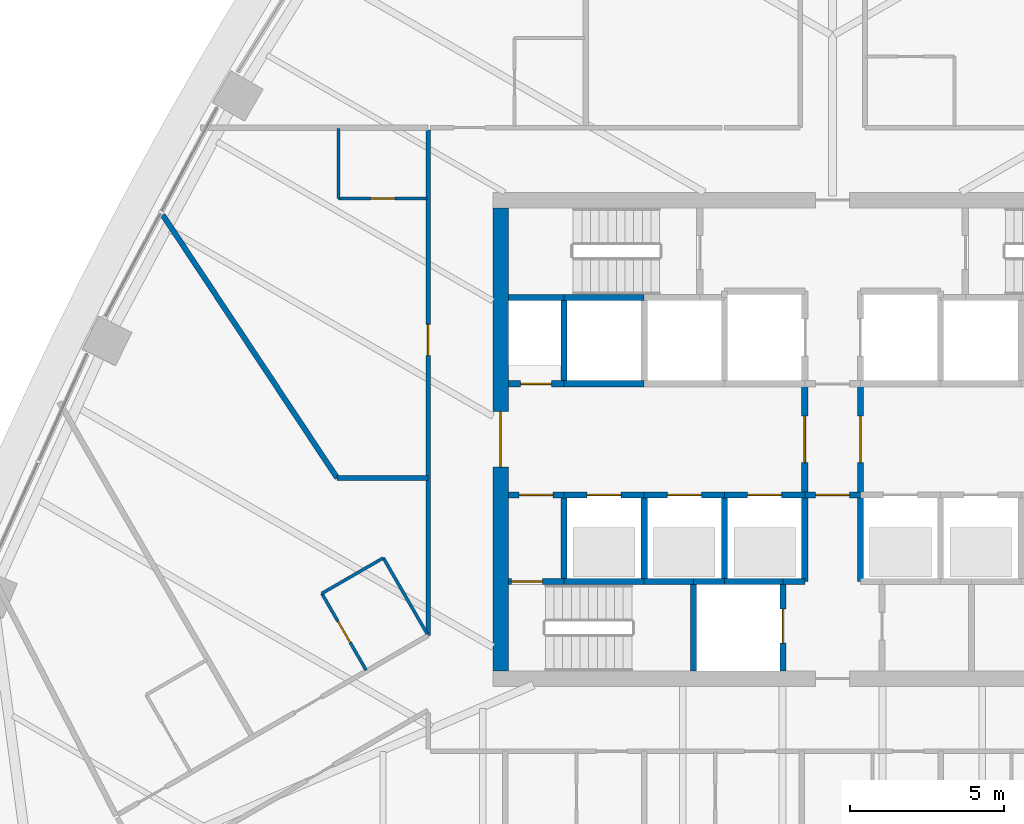
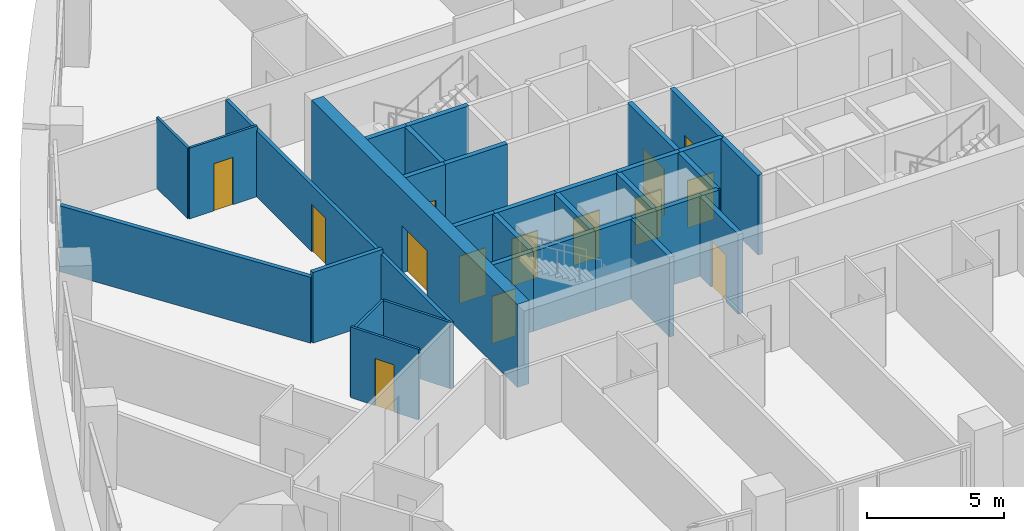
# One storey, part 10 of 17: 34 walls, 14 doors, 14 openings.
"""IFC4 building model written with IfcOpenShell, lengths in metres."""

from ifc_helpers import new_model, si_unit, direction, frame, frame_2d, origin, place, context, subcontext, project, spatial, rectangle, extrude, material, layer, layer_set, type_object, element, fill, save


model = new_model("IFC4")

# Units and contexts
model_context = context("Model", 3, precision=1e-05, world=origin(), true_north=direction((0.0, 1.0)))
body_context = subcontext(model_context, "Body", "Model", "MODEL_VIEW")
ifc_project = project(units=[si_unit("LENGTHUNIT", "METRE"), si_unit("AREAUNIT", "SQUARE_METRE"), si_unit("VOLUMEUNIT", "CUBIC_METRE"), si_unit("PLANEANGLEUNIT", "RADIAN"), si_unit("MASSUNIT", "GRAM", prefix="KILO")], contexts=[model_context])

# Site, building, storey
site_placement = place(None, origin())
site = spatial("IfcSite", under=ifc_project, at=site_placement, CompositionType="ELEMENT")
building_placement = place(site_placement, origin())
building = spatial("IfcBuilding", under=site, at=building_placement, Name="Sierra Prisma Convention Tower", CompositionType="ELEMENT")
storey_placement = place(building_placement, frame((0.0, 0.0, 92.39990234375)))
storey = spatial("IfcBuildingStorey", under=building, at=storey_placement, Name="L19", CompositionType="ELEMENT", Elevation=92.39990234375)

# Wall, opening, door
ifc_material_1 = material(Name="Gypsum board partition", Category="gypsum")
ifc_layer_1 = layer(ifc_material_1, 0.10009765625)
ifc_layer_set_1 = layer_set([ifc_layer_1], Name="Bathroom partition 100")
wall_type_1 = type_object("IfcWallType", Name="Bathroom partition 100", PredefinedType="PARTITIONING", material=ifc_layer_set_1)
wall_1_placement = place(storey_placement, frame((-13.1298828125, 7.800048828125, 0.0), z_axis=(0.0, 0.0, 1.0), x_axis=(-1.0, 0.0, 0.0)))
wall_1 = element("IfcWall", 1, at=wall_1_placement, inside=storey, type_object=wall_type_1, Name="Partition L19 bath 5", PredefinedType="PARTITIONING", context=body_context, shape_type="SweptSolid", body=[
    extrude(rectangle(XDim=2.8701171875, YDim=0.10009765625, at=frame_2d((1.43505859375, 0.0))), origin(), (0.0, 0.0, 1.0), 3.150146484375),
])
opening_1_placement = place(wall_1_placement, frame((1.034912109375, 0.0, 0.0)))
opening_1 = element("IfcOpeningElement", 2, at=opening_1_placement, cuts=wall_1, Name="Opening L19-D004", PredefinedType="OPENING", context=body_context, shape_type="SweptSolid", body=[
    extrude(rectangle(XDim=0.800048828125, YDim=2.10009765625, at=frame_2d((0.39990234375, 1.050048828125))), frame((0.0, 0.050048828125, 0.0), z_axis=(0.0, -1.0, 0.0), x_axis=(1.0, 0.0, 0.0)), (0.0, 0.0, 1.0), 0.10009765625),
])
ifc_material_2 = material(Name="Solid core timber door leaf", Category="wood")
door_type_1 = type_object("IfcDoorType", Name="Door 800x2100 plain", OperationType="SINGLE_SWING_LEFT", PredefinedType="DOOR", material=ifc_material_2)
door_1_placement = place(opening_1_placement, origin())
door_1 = element("IfcDoor", 3, at=door_1_placement, inside=storey, type_object=door_type_1, Name="Door L19 10", OperationType="SINGLE_SWING_RIGHT", OverallHeight=2.10009765625, OverallWidth=0.800048828125, PredefinedType="DOOR", context=body_context, shape_type="SweptSolid", body=[
    extrude(rectangle(XDim=0.800048828125, YDim=2.10009765625, at=frame_2d((0.39990234375, 1.050048828125))), frame((0.0, 0.02490234375, 0.0), z_axis=(0.0, -1.0, 0.0), x_axis=(1.0, 0.0, 0.0)), (0.0, 0.0, 1.0), 0.050048828125),
])
fill(opening_1, door_1)

# Wall
wall_2_placement = place(storey_placement, frame((-16.0, 7.800048828125, 0.0), z_axis=(0.0, 0.0, 1.0), x_axis=(0.0, 1.0, 0.0)))
element("IfcWall", 4, at=wall_2_placement, inside=storey, type_object=wall_type_1, Name="Partition L19 bath 6", PredefinedType="PARTITIONING", context=body_context, shape_type="SweptSolid", body=[
    extrude(rectangle(XDim=2.27001953125, YDim=0.10009765625, at=frame_2d((1.135009765625, 0.0))), origin(), (0.0, 0.0, 1.0), 3.150146484375),
])

# Wall, opening, door
wall_3_placement = place(storey_placement, frame((-15.10693359375, -7.474853515625, 0.0), z_axis=(0.0, 0.0, 1.0), x_axis=(-0.500036638401, 0.866004249561, 0.0)))
wall_3 = element("IfcWall", 5, at=wall_3_placement, inside=storey, type_object=wall_type_1, Name="Partition L19 bath 7", PredefinedType="PARTITIONING", context=body_context, shape_type="SweptSolid", body=[
    extrude(rectangle(XDim=2.869873046875, YDim=0.10009765625, at=frame_2d((1.43505859375, 0.0))), origin(), (0.0, 0.0, 1.0), 3.150146484375),
])
opening_2_placement = place(wall_3_placement, frame((1.034912109375, 0.0, 0.0)))
opening_2 = element("IfcOpeningElement", 6, at=opening_2_placement, cuts=wall_3, Name="Opening L19-D005", PredefinedType="OPENING", context=body_context, shape_type="SweptSolid", body=[
    extrude(rectangle(XDim=0.800048828125, YDim=2.10009765625, at=frame_2d((0.39990234375, 1.050048828125))), frame((0.0, 0.050048828125, 0.0), z_axis=(0.0, -1.0, 0.0), x_axis=(1.0, 0.0, 0.0)), (0.0, 0.0, 1.0), 0.10009765625),
])
door_2_placement = place(opening_2_placement, origin())
door_2 = element("IfcDoor", 7, at=door_2_placement, inside=storey, type_object=door_type_1, Name="Door L19 12", OperationType="SINGLE_SWING_RIGHT", OverallHeight=2.10009765625, OverallWidth=0.800048828125, PredefinedType="DOOR", context=body_context, shape_type="SweptSolid", body=[
    extrude(rectangle(XDim=0.800048828125, YDim=2.10009765625, at=frame_2d((0.39990234375, 1.050048828125))), frame((0.0, 0.02490234375, 0.0), z_axis=(0.0, -1.0, 0.0), x_axis=(1.0, 0.0, 0.0)), (0.0, 0.0, 1.0), 0.050048828125),
])
fill(opening_2, door_2)

# Walls
wall_4_placement = place(storey_placement, frame((-16.5419921875, -4.989501953125, 0.0), z_axis=(0.0, 0.0, 1.0), x_axis=(0.866007057882, 0.500031774688, 0.0)))
element("IfcWall", 8, at=wall_4_placement, inside=storey, type_object=wall_type_1, Name="Partition L19 bath 8", PredefinedType="PARTITIONING", context=body_context, shape_type="SweptSolid", body=[
    extrude(rectangle(XDim=2.300048828125, YDim=0.10009765625, at=frame_2d((1.14990234375, 0.0))), origin(), (0.0, 0.0, 1.0), 2.947021484375),
])
wall_5_placement = place(storey_placement, frame((-14.550048828125, -3.83935546875, 0.0), z_axis=(0.0, 0.0, 1.0), x_axis=(0.500049861556, -0.865996614288, 0.0)))
element("IfcWall", 9, at=wall_5_placement, inside=storey, type_object=wall_type_1, Name="Partition L19 bath 9", PredefinedType="PARTITIONING", context=body_context, shape_type="SweptSolid", body=[
    extrude(rectangle(XDim=2.840087890625, YDim=0.10009765625, at=frame_2d((1.419921875, 0.0))), origin(), (0.0, 0.0, 1.0), 2.947021484375),
])

# Wall, opening, door
ifc_material_3 = material(Name="Concrete C30/37", Category="concrete")
ifc_layer_2 = layer(ifc_material_3, 0.199951171875)
ifc_layer_set_2 = layer_set([ifc_layer_2], Name="Core wall RC 200 C30/37")
wall_type_2 = type_object("IfcWallType", Name="Core wall RC 200 C30/37", PredefinedType="SOLIDWALL", material=ifc_layer_set_2)
wall_6_placement = place(storey_placement, frame((-10.5, -4.60009765625, 0.0), z_axis=(0.0, 0.0, 1.0), x_axis=(1.0, 0.0, 0.0)))
wall_6 = element("IfcWall", 10, at=wall_6_placement, inside=storey, type_object=wall_type_2, Name="Core wall L19 1", PredefinedType="SOLIDWALL", context=body_context, shape_type="SweptSolid", body=[
    extrude(rectangle(XDim=1.800048828125, YDim=0.199951171875, at=frame_2d((0.89990234375, 0.0))), origin(), (0.0, 0.0, 1.0), 3.550048828125),
])
opening_3_placement = place(wall_6_placement, frame((0.10009765625, 0.0, 0.0)))
opening_3 = element("IfcOpeningElement", 11, at=opening_3_placement, cuts=wall_6, Name="Opening L19-D032", PredefinedType="OPENING", context=body_context, shape_type="SweptSolid", body=[
    extrude(rectangle(XDim=1.0, YDim=2.10009765625, at=frame_2d((0.5, 1.050048828125))), frame((0.0, 0.10009765625, 0.0), z_axis=(0.0, -1.0, 0.0), x_axis=(1.0, 0.0, 0.0)), (0.0, 0.0, 1.0), 0.199951171875),
])
ifc_material_4 = material(Name="Steel fire door leaf", Category="steel")
door_type_2 = type_object("IfcDoorType", Name="Door 1000x2100 FD90S", OperationType="SINGLE_SWING_LEFT", PredefinedType="DOOR", material=ifc_material_4)
door_3_placement = place(opening_3_placement, origin())
door_3 = element("IfcDoor", 12, at=door_3_placement, inside=storey, type_object=door_type_2, Name="Door L19 51", OperationType="SINGLE_SWING_LEFT", OverallHeight=2.10009765625, OverallWidth=1.0, PredefinedType="DOOR", context=body_context, shape_type="SweptSolid", body=[
    extrude(rectangle(XDim=1.0, YDim=2.10009765625, at=frame_2d((0.5, 1.050048828125))), frame((0.0, 0.02490234375, 0.0), z_axis=(0.0, -1.0, 0.0), x_axis=(1.0, 0.0, 0.0)), (0.0, 0.0, 1.0), 0.050048828125),
])
fill(opening_3, door_3)

wall_7_placement = place(storey_placement, frame((-10.5, -1.800048828125, 0.0), z_axis=(0.0, 0.0, 1.0), x_axis=(1.0, 0.0, 0.0)))
wall_7 = element("IfcWall", 13, at=wall_7_placement, inside=storey, type_object=wall_type_2, Name="Core wall L19 2", PredefinedType="SOLIDWALL", context=body_context, shape_type="SweptSolid", body=[
    extrude(rectangle(XDim=1.800048828125, YDim=0.199951171875, at=frame_2d((0.89990234375, 0.0))), origin(), (0.0, 0.0, 1.0), 3.550048828125),
])
opening_4_placement = place(wall_7_placement, frame((0.35009765625, 0.0, 0.0)))
opening_4 = element("IfcOpeningElement", 14, at=opening_4_placement, cuts=wall_7, Name="Opening L19-D026", PredefinedType="OPENING", context=body_context, shape_type="SweptSolid", body=[
    extrude(rectangle(XDim=1.10009765625, YDim=2.10009765625, at=frame_2d((0.550048828125, 1.050048828125))), frame((0.0, 0.10009765625, 0.0), z_axis=(0.0, -1.0, 0.0), x_axis=(1.0, 0.0, 0.0)), (0.0, 0.0, 1.0), 0.199951171875),
])
ifc_material_5 = material(Name="Steel fire door leaf", Category="steel")
door_type_3 = type_object("IfcDoorType", Name="Door 1100x2100 FD90S", OperationType="SINGLE_SWING_LEFT", PredefinedType="DOOR", material=ifc_material_5)
door_4_placement = place(opening_4_placement, origin())
door_4 = element("IfcDoor", 15, at=door_4_placement, inside=storey, type_object=door_type_3, Name="Door L19 45", OperationType="SINGLE_SWING_LEFT", OverallHeight=2.10009765625, OverallWidth=1.10009765625, PredefinedType="DOOR", context=body_context, shape_type="SweptSolid", body=[
    extrude(rectangle(XDim=1.10009765625, YDim=2.10009765625, at=frame_2d((0.550048828125, 1.050048828125))), frame((0.0, 0.02490234375, 0.0), z_axis=(0.0, -1.0, 0.0), x_axis=(1.0, 0.0, 0.0)), (0.0, 0.0, 1.0), 0.050048828125),
])
fill(opening_4, door_4)

wall_8_placement = place(storey_placement, frame((-8.699951171875, 1.800048828125, 0.0), z_axis=(0.0, 0.0, 1.0), x_axis=(-1.0, 0.0, 0.0)))
wall_8 = element("IfcWall", 16, at=wall_8_placement, inside=storey, type_object=wall_type_2, Name="Core wall L19 3", PredefinedType="SOLIDWALL", context=body_context, shape_type="SweptSolid", body=[
    extrude(rectangle(XDim=1.800048828125, YDim=0.199951171875, at=frame_2d((0.89990234375, 0.0))), origin(), (0.0, 0.0, 1.0), 3.550048828125),
])
opening_5_placement = place(wall_8_placement, frame((0.39990234375, 0.0, 0.0)))
opening_5 = element("IfcOpeningElement", 17, at=opening_5_placement, cuts=wall_8, Name="Opening L19-D030", PredefinedType="OPENING", context=body_context, shape_type="SweptSolid", body=[
    extrude(rectangle(XDim=1.0, YDim=2.10009765625, at=frame_2d((0.5, 1.050048828125))), frame((0.0, 0.10009765625, 0.0), z_axis=(0.0, -1.0, 0.0), x_axis=(1.0, 0.0, 0.0)), (0.0, 0.0, 1.0), 0.199951171875),
])
ifc_material_6 = material(Name="Steel fire door leaf", Category="steel")
door_type_4 = type_object("IfcDoorType", Name="Door 1000x2100 FD60S", OperationType="SINGLE_SWING_LEFT", PredefinedType="DOOR", material=ifc_material_6)
door_5_placement = place(opening_5_placement, origin())
door_5 = element("IfcDoor", 18, at=door_5_placement, inside=storey, type_object=door_type_4, Name="Door L19 49", OperationType="SINGLE_SWING_RIGHT", OverallHeight=2.10009765625, OverallWidth=1.0, PredefinedType="DOOR", context=body_context, shape_type="SweptSolid", body=[
    extrude(rectangle(XDim=1.0, YDim=2.10009765625, at=frame_2d((0.5, 1.050048828125))), frame((0.0, 0.02490234375, 0.0), z_axis=(0.0, -1.0, 0.0), x_axis=(1.0, 0.0, 0.0)), (0.0, 0.0, 1.0), 0.050048828125),
])
fill(opening_5, door_5)

# Walls
wall_9_placement = place(storey_placement, frame((-8.699951171875, 4.60009765625, 0.0), z_axis=(0.0, 0.0, 1.0), x_axis=(-1.0, 0.0, 0.0)))
element("IfcWall", 19, at=wall_9_placement, inside=storey, type_object=wall_type_2, Name="Core wall L19 4", PredefinedType="SOLIDWALL", context=body_context, shape_type="SweptSolid", body=[
    extrude(rectangle(XDim=1.800048828125, YDim=0.199951171875, at=frame_2d((0.89990234375, 0.0))), origin(), (0.0, 0.0, 1.0), 3.550048828125),
])
wall_10_placement = place(storey_placement, frame((-8.699951171875, -4.60009765625, 0.0), z_axis=(0.0, 0.0, 1.0), x_axis=(1.0, 0.0, 0.0)))
element("IfcWall", 20, at=wall_10_placement, inside=storey, type_object=wall_type_2, Name="Core wall L19 5", PredefinedType="SOLIDWALL", context=body_context, shape_type="SweptSolid", body=[
    extrude(rectangle(XDim=2.599853515625, YDim=0.199951171875, at=frame_2d((1.2998046875, 0.0))), origin(), (0.0, 0.0, 1.0), 3.550048828125),
])
wall_11_placement = place(storey_placement, frame((-8.699951171875, -4.60009765625, 0.0), z_axis=(0.0, 0.0, 1.0), x_axis=(0.0, 1.0, 0.0)))
element("IfcWall", 21, at=wall_11_placement, inside=storey, type_object=wall_type_2, Name="Core wall L19 6", PredefinedType="SOLIDWALL", context=body_context, shape_type="SweptSolid", body=[
    extrude(rectangle(XDim=2.800048828125, YDim=0.199951171875, at=frame_2d((1.39990234375, 0.0))), origin(), (0.0, 0.0, 1.0), 3.550048828125),
])

# Wall, opening, door
wall_12_placement = place(storey_placement, frame((-8.699951171875, -1.800048828125, 0.0), z_axis=(0.0, 0.0, 1.0), x_axis=(1.0, 0.0, 0.0)))
wall_12 = element("IfcWall", 22, at=wall_12_placement, inside=storey, type_object=wall_type_2, Name="Core wall L19 7", PredefinedType="SOLIDWALL", context=body_context, shape_type="SweptSolid", body=[
    extrude(rectangle(XDim=2.599853515625, YDim=0.199951171875, at=frame_2d((1.2998046875, 0.0))), origin(), (0.0, 0.0, 1.0), 3.550048828125),
])
opening_6_placement = place(wall_12_placement, frame((0.75, 0.0, 0.0)))
opening_6 = element("IfcOpeningElement", 23, at=opening_6_placement, cuts=wall_12, Name="Opening L19-D015", PredefinedType="OPENING", context=body_context, shape_type="SweptSolid", body=[
    extrude(rectangle(XDim=1.10009765625, YDim=2.10009765625, at=frame_2d((0.550048828125, 1.050048828125))), frame((0.0, 0.10009765625, 0.0), z_axis=(0.0, -1.0, 0.0), x_axis=(1.0, 0.0, 0.0)), (0.0, 0.0, 1.0), 0.199951171875),
])
ifc_material_7 = material(Name="Steel fire door leaf", Category="steel")
door_type_5 = type_object("IfcDoorType", Name="Door 1100x2100 EI 90 sliding lift landing", OperationType="SLIDING_TO_LEFT", PredefinedType="DOOR", material=ifc_material_7)
door_6_placement = place(opening_6_placement, origin())
door_6 = element("IfcDoor", 24, at=door_6_placement, inside=storey, type_object=door_type_5, Name="Door L19 34", OperationType="SLIDING_TO_LEFT", OverallHeight=2.10009765625, OverallWidth=1.10009765625, PredefinedType="DOOR", context=body_context, shape_type="SweptSolid", body=[
    extrude(rectangle(XDim=1.10009765625, YDim=2.10009765625, at=frame_2d((0.550048828125, 1.050048828125))), frame((0.0, 0.02490234375, 0.0), z_axis=(0.0, -1.0, 0.0), x_axis=(1.0, 0.0, 0.0)), (0.0, 0.0, 1.0), 0.050048828125),
])
fill(opening_6, door_6)

# Walls
wall_13_placement = place(storey_placement, frame((-6.10009765625, 1.800048828125, 0.0), z_axis=(0.0, 0.0, 1.0), x_axis=(-1.0, 0.0, 0.0)))
element("IfcWall", 25, at=wall_13_placement, inside=storey, type_object=wall_type_2, Name="Core wall L19 8", PredefinedType="SOLIDWALL", context=body_context, shape_type="SweptSolid", body=[
    extrude(rectangle(XDim=2.599853515625, YDim=0.199951171875, at=frame_2d((1.2998046875, 0.0))), origin(), (0.0, 0.0, 1.0), 3.550048828125),
])
wall_14_placement = place(storey_placement, frame((-8.699951171875, 1.800048828125, 0.0), z_axis=(0.0, 0.0, 1.0), x_axis=(0.0, 1.0, 0.0)))
element("IfcWall", 26, at=wall_14_placement, inside=storey, type_object=wall_type_2, Name="Core wall L19 9", PredefinedType="SOLIDWALL", context=body_context, shape_type="SweptSolid", body=[
    extrude(rectangle(XDim=2.800048828125, YDim=0.199951171875, at=frame_2d((1.39990234375, 0.0))), origin(), (0.0, 0.0, 1.0), 3.550048828125),
])
wall_15_placement = place(storey_placement, frame((-6.10009765625, 4.60009765625, 0.0), z_axis=(0.0, 0.0, 1.0), x_axis=(-1.0, 0.0, 0.0)))
element("IfcWall", 27, at=wall_15_placement, inside=storey, type_object=wall_type_2, Name="Core wall L19 10", PredefinedType="SOLIDWALL", context=body_context, shape_type="SweptSolid", body=[
    extrude(rectangle(XDim=2.599853515625, YDim=0.199951171875, at=frame_2d((1.2998046875, 0.0))), origin(), (0.0, 0.0, 1.0), 3.550048828125),
])
wall_16_placement = place(storey_placement, frame((-6.10009765625, -4.60009765625, 0.0), z_axis=(0.0, 0.0, 1.0), x_axis=(1.0, 0.0, 0.0)))
element("IfcWall", 28, at=wall_16_placement, inside=storey, type_object=wall_type_2, Name="Core wall L19 11", PredefinedType="SOLIDWALL", context=body_context, shape_type="SweptSolid", body=[
    extrude(rectangle(XDim=1.60009765625, YDim=0.199951171875, at=frame_2d((0.800048828125, 0.0))), origin(), (0.0, 0.0, 1.0), 3.550048828125),
])
wall_17_placement = place(storey_placement, frame((-6.10009765625, -4.60009765625, 0.0), z_axis=(0.0, 0.0, 1.0), x_axis=(0.0, 1.0, 0.0)))
element("IfcWall", 29, at=wall_17_placement, inside=storey, type_object=wall_type_2, Name="Core wall L19 12", PredefinedType="SOLIDWALL", context=body_context, shape_type="SweptSolid", body=[
    extrude(rectangle(XDim=2.800048828125, YDim=0.199951171875, at=frame_2d((1.39990234375, 0.0))), origin(), (0.0, 0.0, 1.0), 3.550048828125),
])

# Wall, opening, door
wall_18_placement = place(storey_placement, frame((-6.10009765625, -1.800048828125, 0.0), z_axis=(0.0, 0.0, 1.0), x_axis=(1.0, 0.0, 0.0)))
wall_18 = element("IfcWall", 30, at=wall_18_placement, inside=storey, type_object=wall_type_2, Name="Core wall L19 13", PredefinedType="SOLIDWALL", context=body_context, shape_type="SweptSolid", body=[
    extrude(rectangle(XDim=2.60009765625, YDim=0.199951171875, at=frame_2d((1.300048828125, 0.0))), origin(), (0.0, 0.0, 1.0), 3.550048828125),
])
opening_7_placement = place(wall_18_placement, frame((0.75, 0.0, 0.0)))
opening_7 = element("IfcOpeningElement", 31, at=opening_7_placement, cuts=wall_18, Name="Opening L19-D016", PredefinedType="OPENING", context=body_context, shape_type="SweptSolid", body=[
    extrude(rectangle(XDim=1.10009765625, YDim=2.10009765625, at=frame_2d((0.550048828125, 1.050048828125))), frame((0.0, 0.10009765625, 0.0), z_axis=(0.0, -1.0, 0.0), x_axis=(1.0, 0.0, 0.0)), (0.0, 0.0, 1.0), 0.199951171875),
])
door_7_placement = place(opening_7_placement, origin())
door_7 = element("IfcDoor", 32, at=door_7_placement, inside=storey, type_object=door_type_5, Name="Door L19 35", OperationType="SLIDING_TO_LEFT", OverallHeight=2.10009765625, OverallWidth=1.10009765625, PredefinedType="DOOR", context=body_context, shape_type="SweptSolid", body=[
    extrude(rectangle(XDim=1.10009765625, YDim=2.10009765625, at=frame_2d((0.550048828125, 1.050048828125))), frame((0.0, 0.02490234375, 0.0), z_axis=(0.0, -1.0, 0.0), x_axis=(1.0, 0.0, 0.0)), (0.0, 0.0, 1.0), 0.050048828125),
])
fill(opening_7, door_7)

# Walls
wall_19_placement = place(storey_placement, frame((-4.5, -4.60009765625, 0.0), z_axis=(0.0, 0.0, 1.0), x_axis=(0.0, -1.0, 0.0)))
element("IfcWall", 33, at=wall_19_placement, inside=storey, type_object=wall_type_2, Name="Core wall L19 17", PredefinedType="SOLIDWALL", context=body_context, shape_type="SweptSolid", body=[
    extrude(rectangle(XDim=2.89990234375, YDim=0.199951171875, at=frame_2d((1.449951171875, 0.0))), origin(), (0.0, 0.0, 1.0), 3.550048828125),
])
wall_20_placement = place(storey_placement, frame((-4.5, -4.60009765625, 0.0), z_axis=(0.0, 0.0, 1.0), x_axis=(1.0, 0.0, 0.0)))
element("IfcWall", 34, at=wall_20_placement, inside=storey, type_object=wall_type_2, Name="Core wall L19 18", PredefinedType="SOLIDWALL", context=body_context, shape_type="SweptSolid", body=[
    extrude(rectangle(XDim=1.0, YDim=0.199951171875, at=frame_2d((0.5, 0.0))), origin(), (0.0, 0.0, 1.0), 3.550048828125),
])
wall_21_placement = place(storey_placement, frame((-3.5, -4.60009765625, 0.0), z_axis=(0.0, 0.0, 1.0), x_axis=(1.0, 0.0, 0.0)))
element("IfcWall", 35, at=wall_21_placement, inside=storey, type_object=wall_type_2, Name="Core wall L19 21", PredefinedType="SOLIDWALL", context=body_context, shape_type="SweptSolid", body=[
    extrude(rectangle(XDim=1.89990234375, YDim=0.199951171875, at=frame_2d((0.949951171875, 0.0))), origin(), (0.0, 0.0, 1.0), 3.550048828125),
])
wall_22_placement = place(storey_placement, frame((-3.5, -4.60009765625, 0.0), z_axis=(0.0, 0.0, 1.0), x_axis=(0.0, 1.0, 0.0)))
element("IfcWall", 36, at=wall_22_placement, inside=storey, type_object=wall_type_2, Name="Core wall L19 22", PredefinedType="SOLIDWALL", context=body_context, shape_type="SweptSolid", body=[
    extrude(rectangle(XDim=2.800048828125, YDim=0.199951171875, at=frame_2d((1.39990234375, 0.0))), origin(), (0.0, 0.0, 1.0), 3.550048828125),
])

# Wall, opening, door
wall_23_placement = place(storey_placement, frame((-3.5, -1.800048828125, 0.0), z_axis=(0.0, 0.0, 1.0), x_axis=(1.0, 0.0, 0.0)))
wall_23 = element("IfcWall", 37, at=wall_23_placement, inside=storey, type_object=wall_type_2, Name="Core wall L19 23", PredefinedType="SOLIDWALL", context=body_context, shape_type="SweptSolid", body=[
    extrude(rectangle(XDim=2.60009765625, YDim=0.199951171875, at=frame_2d((1.300048828125, 0.0))), origin(), (0.0, 0.0, 1.0), 3.550048828125),
])
opening_8_placement = place(wall_23_placement, frame((0.75, 0.0, 0.0)))
opening_8 = element("IfcOpeningElement", 38, at=opening_8_placement, cuts=wall_23, Name="Opening L19-D017", PredefinedType="OPENING", context=body_context, shape_type="SweptSolid", body=[
    extrude(rectangle(XDim=1.10009765625, YDim=2.10009765625, at=frame_2d((0.550048828125, 1.050048828125))), frame((0.0, 0.10009765625, 0.0), z_axis=(0.0, -1.0, 0.0), x_axis=(1.0, 0.0, 0.0)), (0.0, 0.0, 1.0), 0.199951171875),
])
door_8_placement = place(opening_8_placement, origin())
door_8 = element("IfcDoor", 39, at=door_8_placement, inside=storey, type_object=door_type_5, Name="Door L19 36", OperationType="SLIDING_TO_LEFT", OverallHeight=2.10009765625, OverallWidth=1.10009765625, PredefinedType="DOOR", context=body_context, shape_type="SweptSolid", body=[
    extrude(rectangle(XDim=1.10009765625, YDim=2.10009765625, at=frame_2d((0.550048828125, 1.050048828125))), frame((0.0, 0.02490234375, 0.0), z_axis=(0.0, -1.0, 0.0), x_axis=(1.0, 0.0, 0.0)), (0.0, 0.0, 1.0), 0.050048828125),
])
fill(opening_8, door_8)

wall_24_placement = place(storey_placement, frame((-1.60009765625, -7.5, 0.0), z_axis=(0.0, 0.0, 1.0), x_axis=(0.0, 1.0, 0.0)))
wall_24 = element("IfcWall", 40, at=wall_24_placement, inside=storey, type_object=wall_type_2, Name="Core wall L19 29", PredefinedType="SOLIDWALL", context=body_context, shape_type="SweptSolid", body=[
    extrude(rectangle(XDim=2.89990234375, YDim=0.199951171875, at=frame_2d((1.449951171875, 0.0))), origin(), (0.0, 0.0, 1.0), 3.550048828125),
])
opening_9_placement = place(wall_24_placement, frame((0.89990234375, 0.0, 0.0)))
opening_9 = element("IfcOpeningElement", 41, at=opening_9_placement, cuts=wall_24, Name="Opening L19-D023", PredefinedType="OPENING", context=body_context, shape_type="SweptSolid", body=[
    extrude(rectangle(XDim=1.10009765625, YDim=2.10009765625, at=frame_2d((0.550048828125, 1.050048828125))), frame((0.0, 0.10009765625, 0.0), z_axis=(0.0, -1.0, 0.0), x_axis=(1.0, 0.0, 0.0)), (0.0, 0.0, 1.0), 0.199951171875),
])
door_9_placement = place(opening_9_placement, origin())
door_9 = element("IfcDoor", 42, at=door_9_placement, inside=storey, type_object=door_type_5, Name="Door L19 42", OperationType="SLIDING_TO_LEFT", OverallHeight=2.10009765625, OverallWidth=1.10009765625, PredefinedType="DOOR", context=body_context, shape_type="SweptSolid", body=[
    extrude(rectangle(XDim=1.10009765625, YDim=2.10009765625, at=frame_2d((0.550048828125, 1.050048828125))), frame((0.0, 0.02490234375, 0.0), z_axis=(0.0, -1.0, 0.0), x_axis=(1.0, 0.0, 0.0)), (0.0, 0.0, 1.0), 0.050048828125),
])
fill(opening_9, door_9)

# Walls
wall_25_placement = place(storey_placement, frame((-1.60009765625, -4.60009765625, 0.0), z_axis=(0.0, 0.0, 1.0), x_axis=(1.0, 0.0, 0.0)))
element("IfcWall", 43, at=wall_25_placement, inside=storey, type_object=wall_type_2, Name="Core wall L19 30", PredefinedType="SOLIDWALL", context=body_context, shape_type="SweptSolid", body=[
    extrude(rectangle(XDim=0.7001953125, YDim=0.199951171875, at=frame_2d((0.35009765625, 0.0))), origin(), (0.0, 0.0, 1.0), 3.550048828125),
])
wall_26_placement = place(storey_placement, frame((-0.89990234375, -4.60009765625, 0.0), z_axis=(0.0, 0.0, 1.0), x_axis=(0.0, 1.0, 0.0)))
element("IfcWall", 44, at=wall_26_placement, inside=storey, type_object=wall_type_2, Name="Core wall L19 31", PredefinedType="SOLIDWALL", context=body_context, shape_type="SweptSolid", body=[
    extrude(rectangle(XDim=2.800048828125, YDim=0.199951171875, at=frame_2d((1.39990234375, 0.0))), origin(), (0.0, 0.0, 1.0), 3.550048828125),
])

# Wall, opening, door
wall_27_placement = place(storey_placement, frame((-0.89990234375, -1.800048828125, 0.0), z_axis=(0.0, 0.0, 1.0), x_axis=(1.0, 0.0, 0.0)))
wall_27 = element("IfcWall", 45, at=wall_27_placement, inside=storey, type_object=wall_type_2, Name="Core wall L19 32", PredefinedType="SOLIDWALL", context=body_context, shape_type="SweptSolid", body=[
    extrude(rectangle(XDim=1.7998046875, YDim=0.199951171875, at=frame_2d((0.89990234375, 0.0))), origin(), (0.0, 0.0, 1.0), 3.550048828125),
])
opening_10_placement = place(wall_27_placement, frame((0.35009765625, 0.0, 0.0)))
opening_10 = element("IfcOpeningElement", 46, at=opening_10_placement, cuts=wall_27, Name="Opening L19-D029", PredefinedType="OPENING", context=body_context, shape_type="SweptSolid", body=[
    extrude(rectangle(XDim=1.10009765625, YDim=2.10009765625, at=frame_2d((0.550048828125, 1.050048828125))), frame((0.0, 0.10009765625, 0.0), z_axis=(0.0, -1.0, 0.0), x_axis=(1.0, 0.0, 0.0)), (0.0, 0.0, 1.0), 0.199951171875),
])
ifc_material_8 = material(Name="Steel fire door leaf", Category="steel")
door_type_6 = type_object("IfcDoorType", Name="Door 1100x2100 FD30S", OperationType="SINGLE_SWING_LEFT", PredefinedType="DOOR", material=ifc_material_8)
door_10_placement = place(opening_10_placement, origin())
door_10 = element("IfcDoor", 47, at=door_10_placement, inside=storey, type_object=door_type_6, Name="Door L19 48", OperationType="SINGLE_SWING_RIGHT", OverallHeight=2.10009765625, OverallWidth=1.10009765625, PredefinedType="DOOR", context=body_context, shape_type="SweptSolid", body=[
    extrude(rectangle(XDim=1.10009765625, YDim=2.10009765625, at=frame_2d((0.550048828125, 1.050048828125))), frame((0.0, 0.02490234375, 0.0), z_axis=(0.0, -1.0, 0.0), x_axis=(1.0, 0.0, 0.0)), (0.0, 0.0, 1.0), 0.050048828125),
])
fill(opening_10, door_10)

wall_28_placement = place(storey_placement, frame((-0.89990234375, 1.800048828125, 0.0), z_axis=(0.0, 0.0, 1.0), x_axis=(0.0, -1.0, 0.0)))
wall_28 = element("IfcWall", 48, at=wall_28_placement, inside=storey, type_object=wall_type_2, Name="Core wall L19 33", PredefinedType="SOLIDWALL", context=body_context, shape_type="SweptSolid", body=[
    extrude(rectangle(XDim=3.60009765625, YDim=0.199951171875, at=frame_2d((1.800048828125, 0.0))), origin(), (0.0, 0.0, 1.0), 3.550048828125),
])
opening_11_placement = place(wall_28_placement, frame((1.050048828125, 0.0, 0.0)))
opening_11 = element("IfcOpeningElement", 49, at=opening_11_placement, cuts=wall_28, Name="Opening L19-D024", PredefinedType="OPENING", context=body_context, shape_type="SweptSolid", body=[
    extrude(rectangle(XDim=1.5, YDim=2.10009765625, at=frame_2d((0.75, 1.050048828125))), frame((0.0, 0.10009765625, 0.0), z_axis=(0.0, -1.0, 0.0), x_axis=(1.0, 0.0, 0.0)), (0.0, 0.0, 1.0), 0.199951171875),
])
ifc_material_9 = material(Name="Steel fire door leaf", Category="steel")
door_type_7 = type_object("IfcDoorType", Name="Door 1500x2100 FD30S", OperationType="DOUBLE_DOOR_SINGLE_SWING", PredefinedType="DOOR", material=ifc_material_9)
door_11_placement = place(opening_11_placement, origin())
door_11 = element("IfcDoor", 50, at=door_11_placement, inside=storey, type_object=door_type_7, Name="Door L19 43", OperationType="DOUBLE_DOOR_SINGLE_SWING", OverallHeight=2.10009765625, OverallWidth=1.5, PredefinedType="DOOR", context=body_context, shape_type="SweptSolid", body=[
    extrude(rectangle(XDim=1.5, YDim=2.10009765625, at=frame_2d((0.75, 1.050048828125))), frame((0.0, 0.02490234375, 0.0), z_axis=(0.0, -1.0, 0.0), x_axis=(1.0, 0.0, 0.0)), (0.0, 0.0, 1.0), 0.050048828125),
])
fill(opening_11, door_11)

wall_29_placement = place(storey_placement, frame((0.89990234375, -1.800048828125, 0.0), z_axis=(0.0, 0.0, 1.0), x_axis=(0.0, 1.0, 0.0)))
wall_29 = element("IfcWall", 51, at=wall_29_placement, inside=storey, type_object=wall_type_2, Name="Core wall L19 36", PredefinedType="SOLIDWALL", context=body_context, shape_type="SweptSolid", body=[
    extrude(rectangle(XDim=3.60009765625, YDim=0.199951171875, at=frame_2d((1.800048828125, 0.0))), origin(), (0.0, 0.0, 1.0), 3.550048828125),
])
opening_12_placement = place(wall_29_placement, frame((1.050048828125, 0.0, 0.0)))
opening_12 = element("IfcOpeningElement", 52, at=opening_12_placement, cuts=wall_29, Name="Opening L19-D025", PredefinedType="OPENING", context=body_context, shape_type="SweptSolid", body=[
    extrude(rectangle(XDim=1.5, YDim=2.10009765625, at=frame_2d((0.75, 1.050048828125))), frame((0.0, 0.10009765625, 0.0), z_axis=(0.0, -1.0, 0.0), x_axis=(1.0, 0.0, 0.0)), (0.0, 0.0, 1.0), 0.199951171875),
])
door_12_placement = place(opening_12_placement, origin())
door_12 = element("IfcDoor", 53, at=door_12_placement, inside=storey, type_object=door_type_7, Name="Door L19 44", OperationType="DOUBLE_DOOR_SINGLE_SWING", OverallHeight=2.10009765625, OverallWidth=1.5, PredefinedType="DOOR", context=body_context, shape_type="SweptSolid", body=[
    extrude(rectangle(XDim=1.5, YDim=2.10009765625, at=frame_2d((0.75, 1.050048828125))), frame((0.0, 0.02490234375, 0.0), z_axis=(0.0, -1.0, 0.0), x_axis=(1.0, 0.0, 0.0)), (0.0, 0.0, 1.0), 0.050048828125),
])
fill(opening_12, door_12)

# Wall
wall_30_placement = place(storey_placement, frame((0.89990234375, -1.800048828125, 0.0), z_axis=(0.0, 0.0, 1.0), x_axis=(0.0, -1.0, 0.0)))
element("IfcWall", 54, at=wall_30_placement, inside=storey, type_object=wall_type_2, Name="Core wall L19 37", PredefinedType="SOLIDWALL", context=body_context, shape_type="SweptSolid", body=[
    extrude(rectangle(XDim=2.800048828125, YDim=0.199951171875, at=frame_2d((1.39990234375, 0.0))), origin(), (0.0, 0.0, 1.0), 3.550048828125),
])

# Wall, opening, door
ifc_material_10 = material(Name="Concrete C60/75", Category="concrete")
ifc_layer_3 = layer(ifc_material_10, 0.5)
ifc_layer_set_3 = layer_set([ifc_layer_3], Name="Core wall RC 500 C60/75")
wall_type_3 = type_object("IfcWallType", Name="Core wall RC 500 C60/75", PredefinedType="SHEAR", material=ifc_layer_set_3)
wall_31_placement = place(storey_placement, frame((-10.75, -7.5, 0.0), z_axis=(0.0, 0.0, 1.0), x_axis=(0.0, 1.0, 0.0)))
wall_31 = element("IfcWall", 55, at=wall_31_placement, inside=storey, type_object=wall_type_3, Name="Core wall W L19", PredefinedType="SHEAR", context=body_context, shape_type="SweptSolid", body=[
    extrude(rectangle(XDim=15.0, YDim=0.5, at=frame_2d((7.5, 0.0))), origin(), (0.0, 0.0, 1.0), 3.7001953125),
])
opening_13_placement = place(wall_31_placement, frame((6.60009765625, 0.0, 0.0)))
opening_13 = element("IfcOpeningElement", 56, at=opening_13_placement, cuts=wall_31, Name="Opening L19-D059", PredefinedType="OPENING", context=body_context, shape_type="SweptSolid", body=[
    extrude(rectangle(XDim=1.800048828125, YDim=2.10009765625, at=frame_2d((0.89990234375, 1.050048828125))), frame((0.0, 0.25, 0.0), z_axis=(0.0, -1.0, 0.0), x_axis=(1.0, 0.0, 0.0)), (0.0, 0.0, 1.0), 0.5),
])
ifc_material_11 = material(Name="Steel fire door leaf", Category="steel")
door_type_8 = type_object("IfcDoorType", Name="Door 1800x2100 FD60S", OperationType="DOUBLE_DOOR_SINGLE_SWING", PredefinedType="DOOR", material=ifc_material_11)
door_13_placement = place(opening_13_placement, origin())
door_13 = element("IfcDoor", 57, at=door_13_placement, inside=storey, type_object=door_type_8, Name="Door L19 56", OperationType="DOUBLE_DOOR_SINGLE_SWING", OverallHeight=2.10009765625, OverallWidth=1.800048828125, PredefinedType="DOOR", context=body_context, shape_type="SweptSolid", body=[
    extrude(rectangle(XDim=1.800048828125, YDim=2.10009765625, at=frame_2d((0.89990234375, 1.050048828125))), frame((0.0, 0.02490234375, 0.0), z_axis=(0.0, -1.0, 0.0), x_axis=(1.0, 0.0, 0.0)), (0.0, 0.0, 1.0), 0.050048828125),
])
fill(opening_13, door_13)

ifc_material_12 = material(Name="Gypsum board partition", Category="gypsum")
ifc_layer_4 = layer(ifc_material_12, 0.14990234375)
ifc_layer_set_4 = layer_set([ifc_layer_4], Name="Corridor wall 150 gypsum EI 60")
wall_type_4 = type_object("IfcWallType", Name="Corridor wall 150 gypsum EI 60", PredefinedType="PARTITIONING", material=ifc_layer_set_4)
wall_32_placement = place(storey_placement, frame((-13.10009765625, 10.02001953125, 0.0), z_axis=(0.0, 0.0, 1.0), x_axis=(0.0, -1.0, 0.0)))
wall_32 = element("IfcWall", 58, at=wall_32_placement, inside=storey, type_object=wall_type_4, Name="Partition L19 corr 2", PredefinedType="PARTITIONING", context=body_context, shape_type="SweptSolid", body=[
    extrude(rectangle(XDim=16.370849609375, YDim=0.14990234375, at=frame_2d((8.185546875, 0.0))), origin(), (0.0, 0.0, 1.0), 2.947021484375),
])
opening_14_placement = place(wall_32_placement, frame((6.29541015625, 0.0, 0.0)))
opening_14 = element("IfcOpeningElement", 59, at=opening_14_placement, cuts=wall_32, Name="Opening L19-D042", PredefinedType="OPENING", context=body_context, shape_type="SweptSolid", body=[
    extrude(rectangle(XDim=1.0, YDim=2.10009765625, at=frame_2d((0.5, 1.050048828125))), frame((0.0, 0.074951171875, 0.0), z_axis=(0.0, -1.0, 0.0), x_axis=(1.0, 0.0, 0.0)), (0.0, 0.0, 1.0), 0.14990234375),
])
ifc_material_13 = material(Name="Steel fire door leaf", Category="steel")
door_type_9 = type_object("IfcDoorType", Name="Door 1000x2100 FD30S", OperationType="SINGLE_SWING_LEFT", PredefinedType="DOOR", material=ifc_material_13)
door_14_placement = place(opening_14_placement, origin())
door_14 = element("IfcDoor", 60, at=door_14_placement, inside=storey, type_object=door_type_9, Name="Door L19 9", OperationType="SINGLE_SWING_LEFT", OverallHeight=2.10009765625, OverallWidth=1.0, PredefinedType="DOOR", context=body_context, shape_type="SweptSolid", body=[
    extrude(rectangle(XDim=1.0, YDim=2.10009765625, at=frame_2d((0.5, 1.050048828125))), frame((0.0, 0.02490234375, 0.0), z_axis=(0.0, -1.0, 0.0), x_axis=(1.0, 0.0, 0.0)), (0.0, 0.0, 1.0), 0.050048828125),
])
fill(opening_14, door_14)

# Walls
ifc_material_14 = material(Name="Acoustic gypsum board partition", Category="gypsum")
ifc_layer_5 = layer(ifc_material_14, 0.175048828125)
ifc_layer_set_5 = layer_set([ifc_layer_5], Name="Guest room party wall 175 acoustic EI 60")
wall_type_5 = type_object("IfcWallType", Name="Guest room party wall 175 acoustic EI 60", PredefinedType="PARTITIONING", material=ifc_layer_set_5)
wall_33_placement = place(storey_placement, frame((-13.10009765625, -1.2509765625, 0.0), z_axis=(0.0, 0.0, 1.0), x_axis=(-1.0, 0.0, 0.0)))
element("IfcWall", 61, at=wall_33_placement, inside=storey, type_object=wall_type_5, Name="Partition L19 hparty 4", PredefinedType="PARTITIONING", context=body_context, shape_type="SweptSolid", body=[
    extrude(rectangle(XDim=2.9443359375, YDim=0.175048828125, at=frame_2d((1.47216796875, 0.0))), origin(), (0.0, 0.0, 1.0), 3.150146484375),
])
wall_34_placement = place(storey_placement, frame((-16.04443359375, -1.2509765625, 0.0), z_axis=(0.0, 0.0, 1.0), x_axis=(-0.552647734039, 0.833414951907, 0.0)))
element("IfcWall", 62, at=wall_34_placement, inside=storey, type_object=wall_type_5, Name="Partition L19 hparty 5", PredefinedType="PARTITIONING", context=body_context, shape_type="SweptSolid", body=[
    extrude(rectangle(XDim=10.2197265625, YDim=0.175048828125, at=frame_2d((5.10986328125, 0.0))), origin(), (0.0, 0.0, 1.0), 2.93408203125),
])

save(model, "model.ifc")
